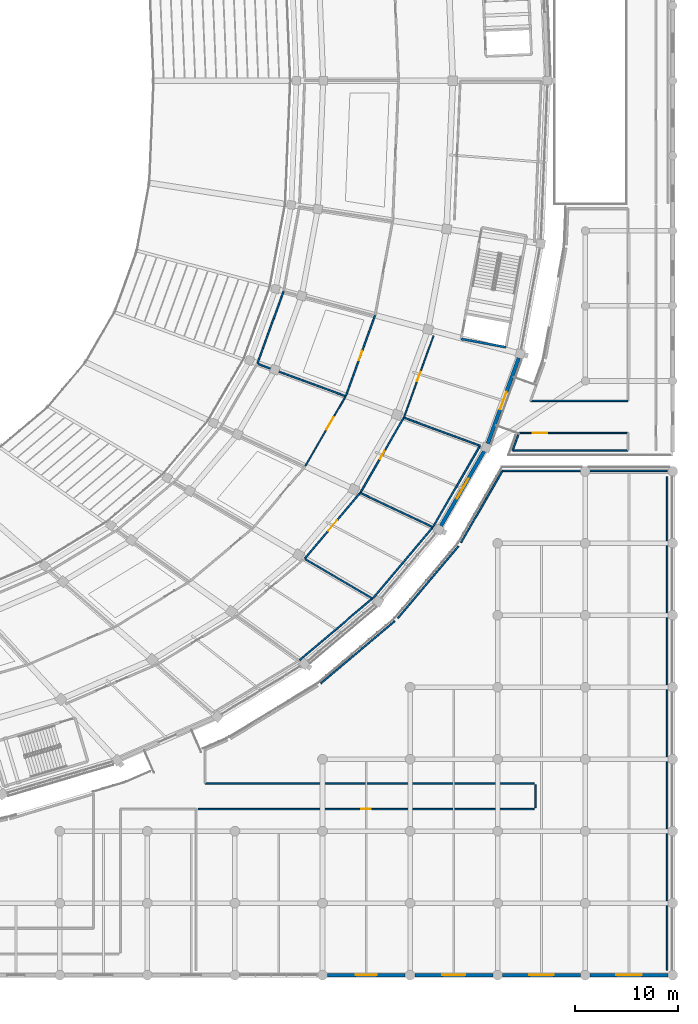
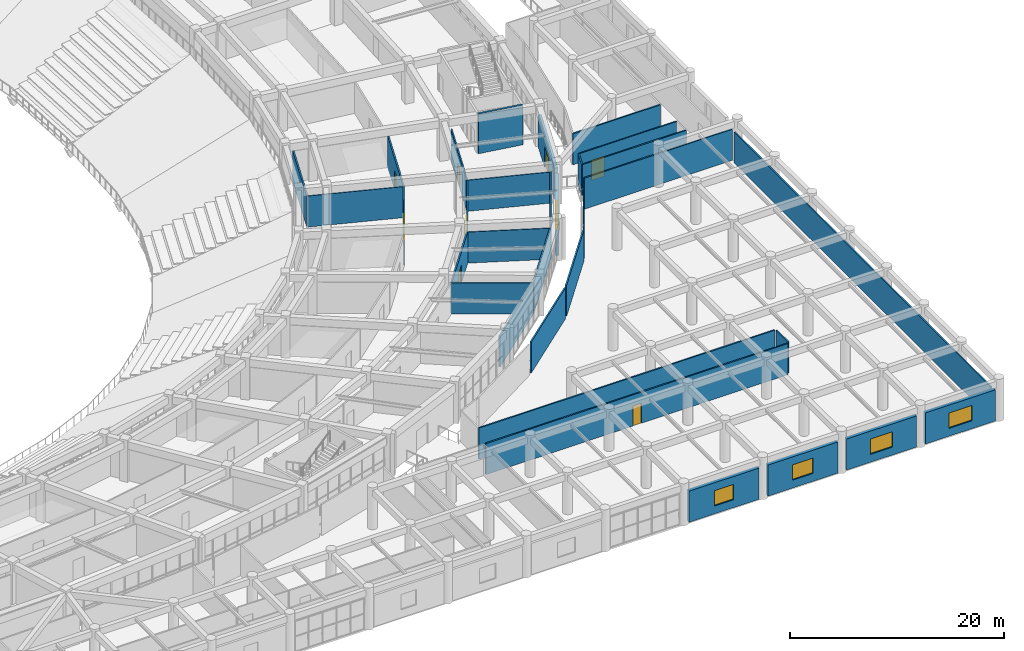
# One storey, part 104 of 152: 32 walls, 8 doors, 5 windows, 13 openings.
"""IFC4 building model written with IfcOpenShell, lengths in metres."""

from ifc_helpers import new_model, si_unit, direction, frame, frame_2d, origin, place, context, subcontext, project, spatial, rectangle, extrude, material, layer, layer_set, type_object, element, fill, save


model = new_model("IFC4")

# Units and contexts
model_context = context("Model", 3, precision=1e-05, world=origin(), true_north=direction((0.0, 1.0)))
body_context = subcontext(model_context, "Body", "Model", "MODEL_VIEW")
ifc_project = project(units=[si_unit("LENGTHUNIT", "METRE"), si_unit("AREAUNIT", "SQUARE_METRE"), si_unit("VOLUMEUNIT", "CUBIC_METRE"), si_unit("PLANEANGLEUNIT", "RADIAN"), si_unit("MASSUNIT", "GRAM", prefix="KILO")], contexts=[model_context])

# Site, building, storey
site_placement = place(None, origin())
site = spatial("IfcSite", under=ifc_project, at=site_placement, CompositionType="ELEMENT")
building_placement = place(site_placement, origin())
building = spatial("IfcBuilding", under=site, at=building_placement, Name="Mphavela Belvedere Stadium", CompositionType="ELEMENT")
storey_placement = place(building_placement, frame((0.0, 0.0, 5.39990234375)))
storey = spatial("IfcBuildingStorey", under=building, at=storey_placement, Name="L01", CompositionType="ELEMENT", Elevation=5.39990234375)

# Wall
ifc_material_1 = material(Name="Concrete C40/50", Category="concrete")
ifc_layer_1 = layer(ifc_material_1, 0.219970703125)
ifc_layer_set_1 = layer_set([ifc_layer_1], Name="Concrete C40/50")
wall_type_1 = type_object("IfcWallType", Name="WAL-CORE-SHEAR-220", PredefinedType="SHEAR", material=ifc_layer_set_1)
wall_1_placement = place(storey_placement, frame((209.424072265625, 61.88525390625, 0.0), z_axis=(0.0, 0.0, 1.0), x_axis=(0.983189729951, -0.18258684213, 0.0)))
element("IfcWall", 1, at=wall_1_placement, inside=storey, type_object=wall_type_1, Name="Core C12 shear wall L01 right", PredefinedType="SHEAR", context=body_context, shape_type="SweptSolid", body=[
    extrude(rectangle(XDim=4.409912109375, YDim=0.219970703125, at=frame_2d((2.205078125, 0.0))), origin(), (0.0, 0.0, 1.0), 4.550048828125),
])

# Wall, opening, window
ifc_material_2 = material(Name="Honed ashlar limestone masonry", Category="masonry")
ifc_layer_2 = layer(ifc_material_2, 0.35009765625)
ifc_layer_set_2 = layer_set([ifc_layer_2], Name="Honed ashlar limestone masonry")
wall_type_2 = type_object("IfcWallType", Name="WAL-EXT-ASHLAR-350", PredefinedType="STANDARD", material=ifc_layer_set_2)
wall_2_placement = place(storey_placement, frame((207.4541015625, 43.70458984375, 0.0), z_axis=(0.0, 0.0, 1.0), x_axis=(0.500557937356, 0.865703038778, 0.0)))
wall_2 = element("IfcWall", 2, at=wall_2_placement, inside=storey, type_object=wall_type_2, Name="Classical ashlar facade wall L01-45", PredefinedType="STANDARD", context=body_context, shape_type="SweptSolid", body=[
    extrude(rectangle(XDim=8.37109375, YDim=0.35009765625, at=frame_2d((4.185546875, 0.0))), origin(), (0.0, 0.0, 1.0), 3.570068359375),
])
opening_1_placement = place(wall_2_placement, frame((3.075439453125, 0.0, 0.89990234375)))
opening_1 = element("IfcOpeningElement", 3, at=opening_1_placement, cuts=wall_2, Name="Opening W-020", PredefinedType="OPENING", context=body_context, shape_type="SweptSolid", body=[
    extrude(rectangle(XDim=2.219970703125, YDim=1.75, at=frame_2d((1.10986328125, 0.875))), frame((0.0, 0.18505859375, 0.0), z_axis=(0.0, -1.0, 0.0), x_axis=(1.0, 0.0, 0.0)), (0.0, 0.0, 1.0), 0.3701171875),
])
ifc_material_3 = material(Name="Bronze-anodised thermally broken aluminium window", Category="aluminium")
window_type_1 = type_object("IfcWindowType", Name="WIN-EXT-20", PartitioningType="SINGLE_PANEL", PredefinedType="WINDOW", material=ifc_material_3)
window_1_placement = place(opening_1_placement, origin())
window_1 = element("IfcWindow", 4, at=window_1_placement, inside=storey, type_object=window_type_1, Name="Belvedere gallery window W-020", OverallHeight=1.75, OverallWidth=2.219970703125, PartitioningType="SINGLE_PANEL", PredefinedType="WINDOW", context=body_context, shape_type="SweptSolid", body=[
    extrude(rectangle(XDim=2.219970703125, YDim=1.75, at=frame_2d((1.10986328125, 0.875))), frame((0.0, 0.030029296875, 0.0), z_axis=(0.0, -1.0, 0.0), x_axis=(1.0, 0.0, 0.0)), (0.0, 0.0, 1.0), 0.06005859375),
])
fill(opening_1, window_1)

# Wall, opening, door
wall_3_placement = place(storey_placement, frame((215.020263671875, 60.039794921875, 0.0), z_axis=(0.0, 0.0, 1.0), x_axis=(-0.341014666885, -0.940057975324, 0.0)))
wall_3 = element("IfcWall", 5, at=wall_3_placement, inside=storey, type_object=wall_type_2, Name="Classical link portal wall L01-46", PredefinedType="STANDARD", context=body_context, shape_type="SweptSolid", body=[
    extrude(rectangle(XDim=8.855224609375, YDim=0.35009765625, at=frame_2d((4.427734375, 0.0))), origin(), (0.0, 0.0, 1.0), 3.570068359375),
])
opening_2_placement = place(wall_3_placement, frame((3.527587890625, 0.0, 0.0)))
opening_2 = element("IfcOpeningElement", 6, at=opening_2_placement, cuts=wall_3, Name="Opening ID-9145", PredefinedType="OPENING", context=body_context, shape_type="SweptSolid", body=[
    extrude(rectangle(XDim=1.800048828125, YDim=2.39990234375, at=frame_2d((0.89990234375, 1.199951171875))), frame((0.0, 0.18505859375, 0.0), z_axis=(0.0, -1.0, 0.0), x_axis=(1.0, 0.0, 0.0)), (0.0, 0.0, 1.0), 0.3701171875),
])
ifc_material_4 = material(Name="Glazed bronze-anodised steel exit doorset", Category="steel")
door_type_1 = type_object("IfcDoorType", Name="DR-EXT-01", OperationType="NOTDEFINED", PredefinedType="DOOR", material=ifc_material_4)
door_1_placement = place(opening_2_placement, origin())
door_1 = element("IfcDoor", 7, at=door_1_placement, inside=storey, type_object=door_type_1, Name="Wing promenade link doorset L01-46", OperationType="DOUBLE_DOOR_SINGLE_SWING", OverallHeight=2.39990234375, OverallWidth=1.800048828125, PredefinedType="DOOR", context=body_context, shape_type="SweptSolid", body=[
    extrude(rectangle(XDim=1.800048828125, YDim=2.39990234375, at=frame_2d((0.89990234375, 1.199951171875))), frame((0.0, 0.02490234375, 0.0), z_axis=(0.0, -1.0, 0.0), x_axis=(1.0, 0.0, 0.0)), (0.0, 0.0, 1.0), 0.050048828125),
])
fill(opening_2, door_1)

# Wall, opening, window
wall_4_placement = place(storey_placement, frame((203.970947265625, 0.0, 0.0), z_axis=(0.0, 0.0, 1.0), x_axis=(-1.0, 0.0, 0.0)))
wall_4 = element("IfcWall", 8, at=wall_4_placement, inside=storey, type_object=wall_type_2, Name="South Axial Triumphal Peristyle Portico outer facade bay L01-24", PredefinedType="STANDARD", context=body_context, shape_type="SweptSolid", body=[
    extrude(rectangle(XDim=7.572021484375, YDim=0.35009765625, at=frame_2d((3.7861328125, 0.0))), origin(), (0.0, 0.0, 1.0), 3.56005859375),
])
opening_3_placement = place(wall_4_placement, frame((2.74609375, 0.0, 0.89990234375)))
opening_3 = element("IfcOpeningElement", 9, at=opening_3_placement, cuts=wall_4, Name="Opening W-063", PredefinedType="OPENING", context=body_context, shape_type="SweptSolid", body=[
    extrude(rectangle(XDim=2.080078125, YDim=1.75, at=frame_2d((1.0400390625, 0.875))), frame((0.0, 0.18505859375, 0.0), z_axis=(0.0, -1.0, 0.0), x_axis=(1.0, 0.0, 0.0)), (0.0, 0.0, 1.0), 0.3701171875),
])
ifc_material_5 = material(Name="Bronze-anodised thermally broken aluminium window", Category="aluminium")
window_type_2 = type_object("IfcWindowType", Name="WIN-EXT-19", PartitioningType="SINGLE_PANEL", PredefinedType="WINDOW", material=ifc_material_5)
window_2_placement = place(opening_3_placement, origin())
window_2 = element("IfcWindow", 10, at=window_2_placement, inside=storey, type_object=window_type_2, Name="South Axial Triumphal Peristyle Portico classical window W-063", OverallHeight=1.75, OverallWidth=2.080078125, PartitioningType="SINGLE_PANEL", PredefinedType="WINDOW", context=body_context, shape_type="SweptSolid", body=[
    extrude(rectangle(XDim=2.080078125, YDim=1.75, at=frame_2d((1.0400390625, 0.875))), frame((0.0, 0.030029296875, 0.0), z_axis=(0.0, -1.0, 0.0), x_axis=(1.0, 0.0, 0.0)), (0.0, 0.0, 1.0), 0.06005859375),
])
fill(opening_3, window_2)

wall_5_placement = place(storey_placement, frame((212.489990234375, 0.0, 0.0), z_axis=(0.0, 0.0, 1.0), x_axis=(-1.0, 0.0, 0.0)))
wall_5 = element("IfcWall", 11, at=wall_5_placement, inside=storey, type_object=wall_type_2, Name="South Axial Triumphal Peristyle Portico outer facade bay L01-25", PredefinedType="STANDARD", context=body_context, shape_type="SweptSolid", body=[
    extrude(rectangle(XDim=7.572998046875, YDim=0.35009765625, at=frame_2d((3.78662109375, 0.0))), origin(), (0.0, 0.0, 1.0), 3.56005859375),
])
opening_4_placement = place(wall_5_placement, frame((2.676513671875, 0.0, 0.89990234375)))
opening_4 = element("IfcOpeningElement", 12, at=opening_4_placement, cuts=wall_5, Name="Opening W-064", PredefinedType="OPENING", context=body_context, shape_type="SweptSolid", body=[
    extrude(rectangle(XDim=2.219970703125, YDim=1.75, at=frame_2d((1.10986328125, 0.875))), frame((0.0, 0.18505859375, 0.0), z_axis=(0.0, -1.0, 0.0), x_axis=(1.0, 0.0, 0.0)), (0.0, 0.0, 1.0), 0.3701171875),
])
window_3_placement = place(opening_4_placement, origin())
window_3 = element("IfcWindow", 13, at=window_3_placement, inside=storey, type_object=window_type_1, Name="South Axial Triumphal Peristyle Portico classical window W-064", OverallHeight=1.75, OverallWidth=2.219970703125, PartitioningType="SINGLE_PANEL", PredefinedType="WINDOW", context=body_context, shape_type="SweptSolid", body=[
    extrude(rectangle(XDim=2.219970703125, YDim=1.75, at=frame_2d((1.10986328125, 0.875))), frame((0.0, 0.030029296875, 0.0), z_axis=(0.0, -1.0, 0.0), x_axis=(1.0, 0.0, 0.0)), (0.0, 0.0, 1.0), 0.06005859375),
])
fill(opening_4, window_3)

wall_6_placement = place(storey_placement, frame((221.008056640625, 0.0, 0.0), z_axis=(0.0, 0.0, 1.0), x_axis=(-1.0, 0.0, 0.0)))
wall_6 = element("IfcWall", 14, at=wall_6_placement, inside=storey, type_object=wall_type_2, Name="South Axial Triumphal Peristyle Portico outer facade bay L01-26", PredefinedType="STANDARD", context=body_context, shape_type="SweptSolid", body=[
    extrude(rectangle(XDim=7.572021484375, YDim=0.35009765625, at=frame_2d((3.7861328125, 0.0))), origin(), (0.0, 0.0, 1.0), 3.56005859375),
])
opening_5_placement = place(wall_6_placement, frame((2.60595703125, 0.0, 0.89990234375)))
opening_5 = element("IfcOpeningElement", 15, at=opening_5_placement, cuts=wall_6, Name="Opening W-065", PredefinedType="OPENING", context=body_context, shape_type="SweptSolid", body=[
    extrude(rectangle(XDim=2.360107421875, YDim=1.75, at=frame_2d((1.18017578125, 0.875))), frame((0.0, 0.18505859375, 0.0), z_axis=(0.0, -1.0, 0.0), x_axis=(1.0, 0.0, 0.0)), (0.0, 0.0, 1.0), 0.3701171875),
])
ifc_material_6 = material(Name="Bronze-anodised thermally broken aluminium window", Category="aluminium")
window_type_3 = type_object("IfcWindowType", Name="WIN-EXT-21", PartitioningType="SINGLE_PANEL", PredefinedType="WINDOW", material=ifc_material_6)
window_4_placement = place(opening_5_placement, origin())
window_4 = element("IfcWindow", 16, at=window_4_placement, inside=storey, type_object=window_type_3, Name="South Axial Triumphal Peristyle Portico classical window W-065", OverallHeight=1.75, OverallWidth=2.360107421875, PartitioningType="SINGLE_PANEL", PredefinedType="WINDOW", context=body_context, shape_type="SweptSolid", body=[
    extrude(rectangle(XDim=2.360107421875, YDim=1.75, at=frame_2d((1.18017578125, 0.875))), frame((0.0, 0.030029296875, 0.0), z_axis=(0.0, -1.0, 0.0), x_axis=(1.0, 0.0, 0.0)), (0.0, 0.0, 1.0), 0.06005859375),
])
fill(opening_5, window_4)

wall_7_placement = place(storey_placement, frame((229.527099609375, 0.0, 0.0), z_axis=(0.0, 0.0, 1.0), x_axis=(-1.0, 0.0, 0.0)))
wall_7 = element("IfcWall", 17, at=wall_7_placement, inside=storey, type_object=wall_type_2, Name="South Axial Triumphal Peristyle Portico outer facade bay L01-27", PredefinedType="STANDARD", context=body_context, shape_type="SweptSolid", body=[
    extrude(rectangle(XDim=7.572998046875, YDim=0.35009765625, at=frame_2d((3.78662109375, 0.0))), origin(), (0.0, 0.0, 1.0), 3.56005859375),
])
opening_6_placement = place(wall_7_placement, frame((2.526611328125, 0.0, 0.89990234375)))
opening_6 = element("IfcOpeningElement", 18, at=opening_6_placement, cuts=wall_7, Name="Opening W-066", PredefinedType="OPENING", context=body_context, shape_type="SweptSolid", body=[
    extrude(rectangle(XDim=2.52001953125, YDim=1.75, at=frame_2d((1.260009765625, 0.875))), frame((0.0, 0.18505859375, 0.0), z_axis=(0.0, -1.0, 0.0), x_axis=(1.0, 0.0, 0.0)), (0.0, 0.0, 1.0), 0.3701171875),
])
ifc_material_7 = material(Name="Bronze-anodised thermally broken aluminium window", Category="aluminium")
window_type_4 = type_object("IfcWindowType", Name="WIN-EXT-22", PartitioningType="SINGLE_PANEL", PredefinedType="WINDOW", material=ifc_material_7)
window_5_placement = place(opening_6_placement, origin())
window_5 = element("IfcWindow", 19, at=window_5_placement, inside=storey, type_object=window_type_4, Name="South Axial Triumphal Peristyle Portico classical window W-066", OverallHeight=1.75, OverallWidth=2.52001953125, PartitioningType="SINGLE_PANEL", PredefinedType="WINDOW", context=body_context, shape_type="SweptSolid", body=[
    extrude(rectangle(XDim=2.52001953125, YDim=1.75, at=frame_2d((1.260009765625, 0.875))), frame((0.0, 0.030029296875, 0.0), z_axis=(0.0, -1.0, 0.0), x_axis=(1.0, 0.0, 0.0)), (0.0, 0.0, 1.0), 0.06005859375),
])
fill(opening_6, window_5)

# Wall, opening, door
ifc_material_8 = material(Name="Moisture-resistant sanitary partition assembly")
ifc_layer_3 = layer(ifc_material_8, 0.125)
ifc_layer_set_3 = layer_set([ifc_layer_3], Name="Moisture-resistant sanitary partition assembly")
wall_type_3 = type_object("IfcWallType", Name="WAL-PART-125", PredefinedType="PARTITIONING", material=ifc_layer_set_3)
wall_8_placement = place(storey_placement, frame((198.18310546875, 56.312255859375, 0.0), z_axis=(0.0, 0.0, 1.0), x_axis=(-0.500584301803, -0.865687794063, 0.0)))
wall_8 = element("IfcWall", 20, at=wall_8_placement, inside=storey, type_object=wall_type_3, Name="Room L01-152 corridor partition", PredefinedType="PARTITIONING", context=body_context, shape_type="SweptSolid", body=[
    extrude(rectangle(XDim=7.8369140625, YDim=0.125, at=frame_2d((3.91845703125, 0.0))), origin(), (0.0, 0.0, 1.0), 3.550048828125),
])
opening_7_placement = place(wall_8_placement, frame((2.34912109375, 0.0, 0.0)))
opening_7 = element("IfcOpeningElement", 21, at=opening_7_placement, cuts=wall_8, Name="Opening ID-156", PredefinedType="OPENING", context=body_context, shape_type="SweptSolid", body=[
    extrude(rectangle(XDim=1.39990234375, YDim=2.10009765625, at=frame_2d((0.699951171875, 1.050048828125))), frame((0.0, 0.072509765625, 0.0), z_axis=(0.0, -1.0, 0.0), x_axis=(1.0, 0.0, 0.0)), (0.0, 0.0, 1.0), 0.14501953125),
])
ifc_material_9 = material(Name="Hardwood acoustic timber doorset", Category="wood")
door_type_2 = type_object("IfcDoorType", Name="DR-INT-12", OperationType="NOTDEFINED", PredefinedType="DOOR", material=ifc_material_9)
door_2_placement = place(opening_7_placement, origin())
door_2 = element("IfcDoor", 22, at=door_2_placement, inside=storey, type_object=door_type_2, Name="Room L01-152 entrance door ID-156", OperationType="SINGLE_SWING_RIGHT", OverallHeight=2.10009765625, OverallWidth=1.39990234375, PredefinedType="DOOR", context=body_context, shape_type="SweptSolid", body=[
    extrude(rectangle(XDim=1.39990234375, YDim=2.10009765625, at=frame_2d((0.699951171875, 1.050048828125))), frame((0.0, 0.02490234375, 0.0), z_axis=(0.0, -1.0, 0.0), x_axis=(1.0, 0.0, 0.0)), (0.0, 0.0, 1.0), 0.050048828125),
])
fill(opening_7, door_2)

wall_9_placement = place(storey_placement, frame((203.866455078125, 54.3037109375, 0.0), z_axis=(0.0, 0.0, 1.0), x_axis=(0.341044550343, 0.940047134287, 0.0)))
wall_9 = element("IfcWall", 23, at=wall_9_placement, inside=storey, type_object=wall_type_3, Name="Room L01-156 corridor partition", PredefinedType="PARTITIONING", context=body_context, shape_type="SweptSolid", body=[
    extrude(rectangle(XDim=8.39208984375, YDim=0.125, at=frame_2d((4.196044921875, 0.0))), origin(), (0.0, 0.0, 1.0), 3.550048828125),
])
opening_8_placement = place(wall_9_placement, frame((3.7060546875, 0.0, 0.0)))
opening_8 = element("IfcOpeningElement", 24, at=opening_8_placement, cuts=wall_9, Name="Opening ID-159", PredefinedType="OPENING", context=body_context, shape_type="SweptSolid", body=[
    extrude(rectangle(XDim=0.97998046875, YDim=2.199951171875, at=frame_2d((0.489990234375, 1.10009765625))), frame((0.0, 0.072509765625, 0.0), z_axis=(0.0, -1.0, 0.0), x_axis=(1.0, 0.0, 0.0)), (0.0, 0.0, 1.0), 0.14501953125),
])
ifc_material_10 = material(Name="Hardwood acoustic timber doorset", Category="wood")
door_type_3 = type_object("IfcDoorType", Name="DR-INT-15", OperationType="NOTDEFINED", PredefinedType="DOOR", material=ifc_material_10)
door_3_placement = place(opening_8_placement, origin())
door_3 = element("IfcDoor", 25, at=door_3_placement, inside=storey, type_object=door_type_3, Name="Room L01-156 entrance door ID-159", OperationType="SINGLE_SWING_LEFT", OverallHeight=2.199951171875, OverallWidth=0.97998046875, PredefinedType="DOOR", context=body_context, shape_type="SweptSolid", body=[
    extrude(rectangle(XDim=0.97998046875, YDim=2.199951171875, at=frame_2d((0.489990234375, 1.10009765625))), frame((0.0, 0.02490234375, 0.0), z_axis=(0.0, -1.0, 0.0), x_axis=(1.0, 0.0, 0.0)), (0.0, 0.0, 1.0), 0.050048828125),
])
fill(opening_8, door_3)

wall_10_placement = place(storey_placement, frame((215.031494140625, 52.739990234375, 0.0), z_axis=(0.0, 0.0, 1.0), x_axis=(1.0, 0.0, 0.0)))
wall_10 = element("IfcWall", 26, at=wall_10_placement, inside=storey, type_object=wall_type_3, Name="Room L01-198 corridor partition", PredefinedType="PARTITIONING", context=body_context, shape_type="SweptSolid", body=[
    extrude(rectangle(XDim=10.6083984375, YDim=0.125, at=frame_2d((5.30419921875, 0.0))), origin(), (0.0, 0.0, 1.0), 3.550048828125),
])
opening_9_placement = place(wall_10_placement, frame((1.34814453125, 0.0, 0.0)))
opening_9 = element("IfcOpeningElement", 27, at=opening_9_placement, cuts=wall_10, Name="Opening ID-540", PredefinedType="OPENING", context=body_context, shape_type="SweptSolid", body=[
    extrude(rectangle(XDim=1.39990234375, YDim=2.300048828125, at=frame_2d((0.699951171875, 1.14990234375))), frame((0.0, 0.072509765625, 0.0), z_axis=(0.0, -1.0, 0.0), x_axis=(1.0, 0.0, 0.0)), (0.0, 0.0, 1.0), 0.14501953125),
])
ifc_material_11 = material(Name="Hardwood acoustic timber doorset", Category="wood")
door_type_4 = type_object("IfcDoorType", Name="DR-INT-36", OperationType="NOTDEFINED", PredefinedType="DOOR", material=ifc_material_11)
door_4_placement = place(opening_9_placement, origin())
door_4 = element("IfcDoor", 28, at=door_4_placement, inside=storey, type_object=door_type_4, Name="Room L01-198 entrance door ID-540", OperationType="SINGLE_SWING_RIGHT", OverallHeight=2.300048828125, OverallWidth=1.39990234375, PredefinedType="DOOR", context=body_context, shape_type="SweptSolid", body=[
    extrude(rectangle(XDim=1.39990234375, YDim=2.300048828125, at=frame_2d((0.699951171875, 1.14990234375))), frame((0.0, 0.02490234375, 0.0), z_axis=(0.0, -1.0, 0.0), x_axis=(1.0, 0.0, 0.0)), (0.0, 0.0, 1.0), 0.050048828125),
])
fill(opening_9, door_4)

ifc_material_12 = material(Name="Acoustic gypsum stud partition assembly")
ifc_layer_4 = layer(ifc_material_12, 0.14990234375)
ifc_layer_set_4 = layer_set([ifc_layer_4], Name="Acoustic gypsum stud partition assembly")
wall_type_4 = type_object("IfcWallType", Name="WAL-PART-150", PredefinedType="PARTITIONING", material=ifc_layer_set_4)
wall_11_placement = place(storey_placement, frame((194.231689453125, 40.562255859375, 0.0), z_axis=(0.0, 0.0, 1.0), x_axis=(0.64516519871, 0.76404310505, 0.0)))
wall_11 = element("IfcWall", 29, at=wall_11_placement, inside=storey, type_object=wall_type_4, Name="Room L01-150 corridor partition", PredefinedType="PARTITIONING", context=body_context, shape_type="SweptSolid", body=[
    extrude(rectangle(XDim=8.3134765625, YDim=0.14990234375, at=frame_2d((4.15673828125, 0.0))), origin(), (0.0, 0.0, 1.0), 3.550048828125),
])
opening_10_placement = place(wall_11_placement, frame((3.49658203125, 0.0, 0.0)))
opening_10 = element("IfcOpeningElement", 30, at=opening_10_placement, cuts=wall_11, Name="Opening ID-155", PredefinedType="OPENING", context=body_context, shape_type="SweptSolid", body=[
    extrude(rectangle(XDim=1.320068359375, YDim=2.10009765625, at=frame_2d((0.66015625, 1.050048828125))), frame((0.0, 0.0849609375, 0.0), z_axis=(0.0, -1.0, 0.0), x_axis=(1.0, 0.0, 0.0)), (0.0, 0.0, 1.0), 0.169921875),
])
ifc_material_13 = material(Name="Hardwood acoustic timber doorset", Category="wood")
door_type_5 = type_object("IfcDoorType", Name="DR-INT-11", OperationType="NOTDEFINED", PredefinedType="DOOR", material=ifc_material_13)
door_5_placement = place(opening_10_placement, origin())
door_5 = element("IfcDoor", 31, at=door_5_placement, inside=storey, type_object=door_type_5, Name="Room L01-150 entrance door ID-155", OperationType="SINGLE_SWING_LEFT", OverallHeight=2.10009765625, OverallWidth=1.320068359375, PredefinedType="DOOR", context=body_context, shape_type="SweptSolid", body=[
    extrude(rectangle(XDim=1.320068359375, YDim=2.10009765625, at=frame_2d((0.66015625, 1.050048828125))), frame((0.0, 0.02490234375, 0.0), z_axis=(0.0, -1.0, 0.0), x_axis=(1.0, 0.0, 0.0)), (0.0, 0.0, 1.0), 0.050048828125),
])
fill(opening_10, door_5)

wall_12_placement = place(storey_placement, frame((199.64111328125, 46.98095703125, 0.0), z_axis=(0.0, 0.0, 1.0), x_axis=(0.500559280672, 0.865702262059, 0.0)))
wall_12 = element("IfcWall", 32, at=wall_12_placement, inside=storey, type_object=wall_type_4, Name="Room L01-153 corridor partition", PredefinedType="PARTITIONING", context=body_context, shape_type="SweptSolid", body=[
    extrude(rectangle(XDim=8.37451171875, YDim=0.14990234375, at=frame_2d((4.187255859375, 0.0))), origin(), (0.0, 0.0, 1.0), 3.550048828125),
])
opening_11_placement = place(wall_12_placement, frame((3.7373046875, 0.0, 0.0)))
opening_11 = element("IfcOpeningElement", 33, at=opening_11_placement, cuts=wall_12, Name="Opening ID-157", PredefinedType="OPENING", context=body_context, shape_type="SweptSolid", body=[
    extrude(rectangle(XDim=0.89990234375, YDim=2.199951171875, at=frame_2d((0.449951171875, 1.10009765625))), frame((0.0, 0.0849609375, 0.0), z_axis=(0.0, -1.0, 0.0), x_axis=(1.0, 0.0, 0.0)), (0.0, 0.0, 1.0), 0.169921875),
])
ifc_material_14 = material(Name="Hardwood acoustic timber doorset", Category="wood")
door_type_6 = type_object("IfcDoorType", Name="DR-INT-13", OperationType="NOTDEFINED", PredefinedType="DOOR", material=ifc_material_14)
door_6_placement = place(opening_11_placement, origin())
door_6 = element("IfcDoor", 34, at=door_6_placement, inside=storey, type_object=door_type_6, Name="Room L01-153 entrance door ID-157", OperationType="SINGLE_SWING_LEFT", OverallHeight=2.199951171875, OverallWidth=0.89990234375, PredefinedType="DOOR", context=body_context, shape_type="SweptSolid", body=[
    extrude(rectangle(XDim=0.89990234375, YDim=2.199951171875, at=frame_2d((0.449951171875, 1.10009765625))), frame((0.0, 0.02490234375, 0.0), z_axis=(0.0, -1.0, 0.0), x_axis=(1.0, 0.0, 0.0)), (0.0, 0.0, 1.0), 0.050048828125),
])
fill(opening_11, door_6)

wall_13_placement = place(storey_placement, frame((201.032470703125, 64.143798828125, 0.0), z_axis=(0.0, 0.0, 1.0), x_axis=(-0.341044733968, -0.940047067669, 0.0)))
wall_13 = element("IfcWall", 35, at=wall_13_placement, inside=storey, type_object=wall_type_4, Name="Room L01-155 corridor partition", PredefinedType="PARTITIONING", context=body_context, shape_type="SweptSolid", body=[
    extrude(rectangle(XDim=8.25390625, YDim=0.14990234375, at=frame_2d((4.126953125, 0.0))), origin(), (0.0, 0.0, 1.0), 3.550048828125),
])
opening_12_placement = place(wall_13_placement, frame((3.656982421875, 0.0, 0.0)))
opening_12 = element("IfcOpeningElement", 36, at=opening_12_placement, cuts=wall_13, Name="Opening ID-158", PredefinedType="OPENING", context=body_context, shape_type="SweptSolid", body=[
    extrude(rectangle(XDim=0.93994140625, YDim=2.199951171875, at=frame_2d((0.469970703125, 1.10009765625))), frame((0.0, 0.0849609375, 0.0), z_axis=(0.0, -1.0, 0.0), x_axis=(1.0, 0.0, 0.0)), (0.0, 0.0, 1.0), 0.169921875),
])
ifc_material_15 = material(Name="Hardwood acoustic timber doorset", Category="wood")
door_type_7 = type_object("IfcDoorType", Name="DR-INT-14", OperationType="NOTDEFINED", PredefinedType="DOOR", material=ifc_material_15)
door_7_placement = place(opening_12_placement, origin())
door_7 = element("IfcDoor", 37, at=door_7_placement, inside=storey, type_object=door_type_7, Name="Room L01-155 entrance door ID-158", OperationType="SINGLE_SWING_RIGHT", OverallHeight=2.199951171875, OverallWidth=0.93994140625, PredefinedType="DOOR", context=body_context, shape_type="SweptSolid", body=[
    extrude(rectangle(XDim=0.93994140625, YDim=2.199951171875, at=frame_2d((0.469970703125, 1.10009765625))), frame((0.0, 0.02490234375, 0.0), z_axis=(0.0, -1.0, 0.0), x_axis=(1.0, 0.0, 0.0)), (0.0, 0.0, 1.0), 0.050048828125),
])
fill(opening_12, door_7)

wall_14_placement = place(storey_placement, frame((183.830078125, 16.139892578125, 0.0), z_axis=(0.0, 0.0, 1.0), x_axis=(1.0, 0.0, 0.0)))
wall_14 = element("IfcWall", 38, at=wall_14_placement, inside=storey, type_object=wall_type_4, Name="Room L01-167 corridor partition", PredefinedType="PARTITIONING", context=body_context, shape_type="SweptSolid", body=[
    extrude(rectangle(XDim=32.669921875, YDim=0.14990234375, at=frame_2d((16.3349609375, 0.0))), origin(), (0.0, 0.0, 1.0), 3.550048828125),
])
opening_13_placement = place(wall_14_placement, frame((15.864990234375, 0.0, 0.0)))
opening_13 = element("IfcOpeningElement", 39, at=opening_13_placement, cuts=wall_14, Name="Opening ID-386", PredefinedType="OPENING", context=body_context, shape_type="SweptSolid", body=[
    extrude(rectangle(XDim=0.93994140625, YDim=2.300048828125, at=frame_2d((0.469970703125, 1.14990234375))), frame((0.0, 0.0849609375, 0.0), z_axis=(0.0, -1.0, 0.0), x_axis=(1.0, 0.0, 0.0)), (0.0, 0.0, 1.0), 0.169921875),
])
ifc_material_16 = material(Name="Hardwood acoustic timber doorset", Category="wood")
door_type_8 = type_object("IfcDoorType", Name="DR-INT-26", OperationType="NOTDEFINED", PredefinedType="DOOR", material=ifc_material_16)
door_8_placement = place(opening_13_placement, origin())
door_8 = element("IfcDoor", 40, at=door_8_placement, inside=storey, type_object=door_type_8, Name="Room L01-167 entrance door ID-386", OperationType="SINGLE_SWING_RIGHT", OverallHeight=2.300048828125, OverallWidth=0.93994140625, PredefinedType="DOOR", context=body_context, shape_type="SweptSolid", body=[
    extrude(rectangle(XDim=0.93994140625, YDim=2.300048828125, at=frame_2d((0.469970703125, 1.14990234375))), frame((0.0, 0.02490234375, 0.0), z_axis=(0.0, -1.0, 0.0), x_axis=(1.0, 0.0, 0.0)), (0.0, 0.0, 1.0), 0.050048828125),
])
fill(opening_13, door_8)

# Walls
wall_15_placement = place(storey_placement, frame((194.1748046875, 40.5029296875, 0.0), z_axis=(0.0, 0.0, 1.0), x_axis=(0.862503200943, -0.506051606422, 0.0)))
element("IfcWall", 41, at=wall_15_placement, inside=storey, type_object=wall_type_4, Name="Room divider partition L01-0269", PredefinedType="PARTITIONING", context=body_context, shape_type="SweptSolid", body=[
    extrude(rectangle(XDim=7.65869140625, YDim=0.14990234375, at=frame_2d((3.829345703125, 0.0))), origin(), (0.0, 0.0, 1.0), 3.550048828125),
])
wall_16_placement = place(storey_placement, frame((200.780517578125, 36.627197265625, 0.0), z_axis=(0.0, 0.0, 1.0), x_axis=(-0.764252893528, -0.644916672706, 0.0)))
element("IfcWall", 42, at=wall_16_placement, inside=storey, type_object=wall_type_4, Name="Room divider partition L01-0270", PredefinedType="PARTITIONING", context=body_context, shape_type="SweptSolid", body=[
    extrude(rectangle(XDim=9.25732421875, YDim=0.14990234375, at=frame_2d((4.628662109375, 0.0))), origin(), (0.0, 0.0, 1.0), 3.550048828125),
])
wall_17_placement = place(storey_placement, frame((199.59521484375, 46.9140625, 0.0), z_axis=(0.0, 0.0, 1.0), x_axis=(0.903857436248, -0.427833770218, 0.0)))
element("IfcWall", 43, at=wall_17_placement, inside=storey, type_object=wall_type_4, Name="Room divider partition L01-0273", PredefinedType="PARTITIONING", context=body_context, shape_type="SweptSolid", body=[
    extrude(rectangle(XDim=7.81201171875, YDim=0.14990234375, at=frame_2d((3.906005859375, 0.0))), origin(), (0.0, 0.0, 1.0), 3.550048828125),
])
wall_18_placement = place(storey_placement, frame((206.65625, 43.57177734375, 0.0), z_axis=(0.0, 0.0, 1.0), x_axis=(-0.645166061073, -0.764042376861, 0.0)))
element("IfcWall", 44, at=wall_18_placement, inside=storey, type_object=wall_type_4, Name="Room divider partition L01-0274", PredefinedType="PARTITIONING", context=body_context, shape_type="SweptSolid", body=[
    extrude(rectangle(XDim=9.013916015625, YDim=0.14990234375, at=frame_2d((4.5068359375, 0.0))), origin(), (0.0, 0.0, 1.0), 3.550048828125),
])
wall_19_placement = place(storey_placement, frame((189.57861328125, 59.482177734375, 0.0), z_axis=(0.0, 0.0, 1.0), x_axis=(0.938348571445, -0.345690553049, 0.0)))
element("IfcWall", 45, at=wall_19_placement, inside=storey, type_object=wall_type_4, Name="Room divider partition L01-0276", PredefinedType="PARTITIONING", context=body_context, shape_type="SweptSolid", body=[
    extrude(rectangle(XDim=9.169921875, YDim=0.14990234375, at=frame_2d((4.5849609375, 0.0))), origin(), (0.0, 0.0, 1.0), 3.550048828125),
])
wall_20_placement = place(storey_placement, frame((203.8330078125, 54.230712890625, 0.0), z_axis=(0.0, 0.0, 1.0), x_axis=(0.938352081903, -0.34568102405, 0.0)))
element("IfcWall", 46, at=wall_20_placement, inside=storey, type_object=wall_type_4, Name="Room divider partition L01-0277", PredefinedType="PARTITIONING", context=body_context, shape_type="SweptSolid", body=[
    extrude(rectangle(XDim=7.90380859375, YDim=0.14990234375, at=frame_2d((3.951904296875, 0.0))), origin(), (0.0, 0.0, 1.0), 3.550048828125),
])
wall_21_placement = place(storey_placement, frame((211.24951171875, 51.49853515625, 0.0), z_axis=(0.0, 0.0, 1.0), x_axis=(-0.500574107164, -0.865693689036, 0.0)))
element("IfcWall", 47, at=wall_21_placement, inside=storey, type_object=wall_type_4, Name="Room divider partition L01-0278", PredefinedType="PARTITIONING", context=body_context, shape_type="SweptSolid", body=[
    extrude(rectangle(XDim=9.080322265625, YDim=0.14990234375, at=frame_2d((4.5400390625, 0.0))), origin(), (0.0, 0.0, 1.0), 3.550048828125),
])
wall_22_placement = place(storey_placement, frame((189.612060546875, 59.55517578125, 0.0), z_axis=(0.0, 0.0, 1.0), x_axis=(0.34104817416, 0.940045819576, 0.0)))
element("IfcWall", 48, at=wall_22_placement, inside=storey, type_object=wall_type_4, Name="Room divider partition L01-0279", PredefinedType="PARTITIONING", context=body_context, shape_type="SweptSolid", body=[
    extrude(rectangle(XDim=7.391845703125, YDim=0.14990234375, at=frame_2d((3.69580078125, 0.0))), origin(), (0.0, 0.0, 1.0), 3.550048828125),
])
wall_23_placement = place(storey_placement, frame((216.659912109375, 16.300048828125, 0.0), z_axis=(0.0, 0.0, 1.0), x_axis=(-0.000330578494, 0.999999945359, 0.0)))
element("IfcWall", 49, at=wall_23_placement, inside=storey, type_object=wall_type_4, Name="Room divider partition L01-0718", PredefinedType="PARTITIONING", context=body_context, shape_type="SweptSolid", body=[
    extrude(rectangle(XDim=2.215576171875, YDim=0.14990234375, at=frame_2d((1.10791015625, 0.0))), origin(), (0.0, 0.0, 1.0), 3.550048828125),
])
wall_24_placement = place(storey_placement, frame((216.515625, 18.6591796875, 0.0), z_axis=(0.0, 0.0, 1.0), x_axis=(-0.999999999738, 2.2884168e-05, 0.0)))
element("IfcWall", 50, at=wall_24_placement, inside=storey, type_object=wall_type_4, Name="Room divider partition L01-0719", PredefinedType="PARTITIONING", context=body_context, shape_type="SweptSolid", body=[
    extrude(rectangle(XDim=32.005615234375, YDim=0.14990234375, at=frame_2d((16.0029296875, 0.0))), origin(), (0.0, 0.0, 1.0), 3.550048828125),
])
wall_25_placement = place(storey_placement, frame((195.767822265625, 28.374755859375, 0.0), z_axis=(0.0, 0.0, 1.0), x_axis=(0.76426547638, 0.644901761212, 0.0)))
element("IfcWall", 51, at=wall_25_placement, inside=storey, type_object=wall_type_4, Name="Room divider partition L01-0723", PredefinedType="PARTITIONING", context=body_context, shape_type="SweptSolid", body=[
    extrude(rectangle(XDim=9.3984375, YDim=0.14990234375, at=frame_2d((4.69921875, 0.0))), origin(), (0.0, 0.0, 1.0), 3.550048828125),
])
wall_26_placement = place(storey_placement, frame((203.248291015625, 34.733642578125, 0.0), z_axis=(0.0, 0.0, 1.0), x_axis=(0.645180125691, 0.764030500316, 0.0)))
element("IfcWall", 52, at=wall_26_placement, inside=storey, type_object=wall_type_4, Name="Room divider partition L01-0724", PredefinedType="PARTITIONING", context=body_context, shape_type="SweptSolid", body=[
    extrude(rectangle(XDim=9.1513671875, YDim=0.14990234375, at=frame_2d((4.57568359375, 0.0))), origin(), (0.0, 0.0, 1.0), 3.550048828125),
])
wall_27_placement = place(storey_placement, frame((209.40673828125, 42.087158203125, 0.0), z_axis=(0.0, 0.0, 1.0), x_axis=(0.500545605998, 0.865710168773, 0.0)))
element("IfcWall", 53, at=wall_27_placement, inside=storey, type_object=wall_type_4, Name="Room divider partition L01-0725", PredefinedType="PARTITIONING", context=body_context, shape_type="SweptSolid", body=[
    extrude(rectangle(XDim=8.04296875, YDim=0.14990234375, at=frame_2d((4.021484375, 0.0))), origin(), (0.0, 0.0, 1.0), 3.550048828125),
])
wall_28_placement = place(storey_placement, frame((213.4326171875, 49.050048828125, 0.0), z_axis=(0.0, 0.0, 1.0), x_axis=(1.0, 0.0, 0.0)))
element("IfcWall", 54, at=wall_28_placement, inside=storey, type_object=wall_type_4, Name="Room divider partition L01-0726", PredefinedType="PARTITIONING", context=body_context, shape_type="SweptSolid", body=[
    extrude(rectangle(XDim=16.017333984375, YDim=0.14990234375, at=frame_2d((8.0087890625, 0.0))), origin(), (0.0, 0.0, 1.0), 3.550048828125),
])
wall_29_placement = place(storey_placement, frame((229.449951171875, 48.5, 0.0), z_axis=(0.0, 0.0, 1.0), x_axis=(0.0, -1.0, 0.0)))
element("IfcWall", 55, at=wall_29_placement, inside=storey, type_object=wall_type_4, Name="Room divider partition L01-0727", PredefinedType="PARTITIONING", context=body_context, shape_type="SweptSolid", body=[
    extrude(rectangle(XDim=48.050048828125, YDim=0.14990234375, at=frame_2d((24.02490234375, 0.0))), origin(), (0.0, 0.0, 1.0), 3.550048828125),
])
wall_30_placement = place(storey_placement, frame((225.639892578125, 51.050048828125, 0.0), z_axis=(0.0, 0.0, 1.0), x_axis=(-1.0, 0.0, 0.0)))
element("IfcWall", 56, at=wall_30_placement, inside=storey, type_object=wall_type_4, Name="Room divider partition L01-1235", PredefinedType="PARTITIONING", context=body_context, shape_type="SweptSolid", body=[
    extrude(rectangle(XDim=11.221435546875, YDim=0.14990234375, at=frame_2d((5.61083984375, 0.0))), origin(), (0.0, 0.0, 1.0), 3.550048828125),
])
wall_31_placement = place(storey_placement, frame((214.41845703125, 51.050048828125, 0.0), z_axis=(0.0, 0.0, 1.0), x_axis=(0.341012375502, 0.940058806541, 0.0)))
element("IfcWall", 57, at=wall_31_placement, inside=storey, type_object=wall_type_4, Name="Room divider partition L01-1236", PredefinedType="PARTITIONING", context=body_context, shape_type="SweptSolid", body=[
    extrude(rectangle(XDim=1.797607421875, YDim=0.14990234375, at=frame_2d((0.89892578125, 0.0))), origin(), (0.0, 0.0, 1.0), 3.550048828125),
])
wall_32_placement = place(storey_placement, frame((225.639892578125, 55.860107421875, 0.0), z_axis=(0.0, 0.0, 1.0), x_axis=(-1.0, 0.0, 0.0)))
element("IfcWall", 58, at=wall_32_placement, inside=storey, type_object=wall_type_4, Name="Room divider partition L01-1241", PredefinedType="PARTITIONING", context=body_context, shape_type="SweptSolid", body=[
    extrude(rectangle(XDim=9.4765625, YDim=0.14990234375, at=frame_2d((4.73828125, 0.0))), origin(), (0.0, 0.0, 1.0), 3.550048828125),
])

save(model, "model.ifc")
